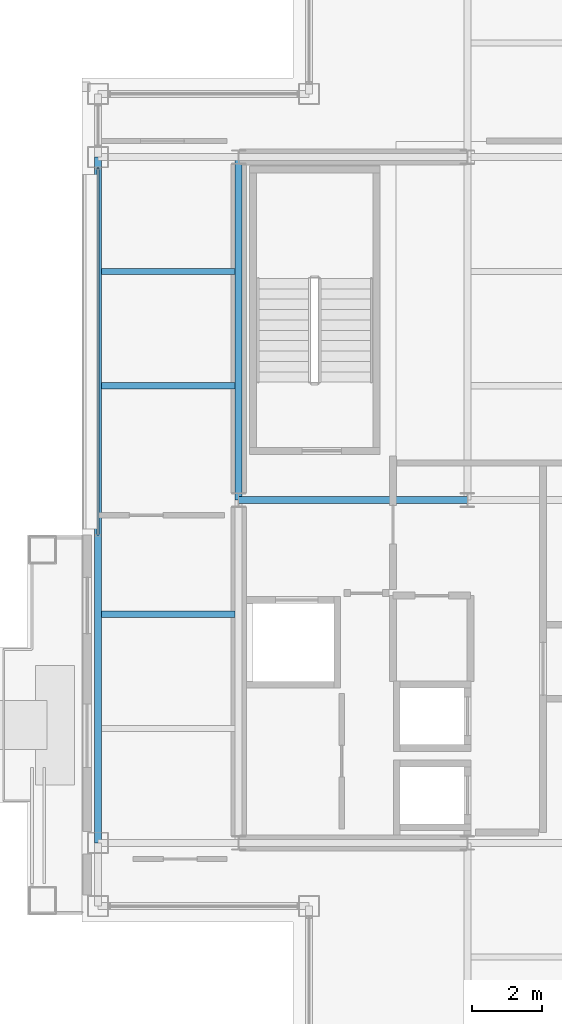
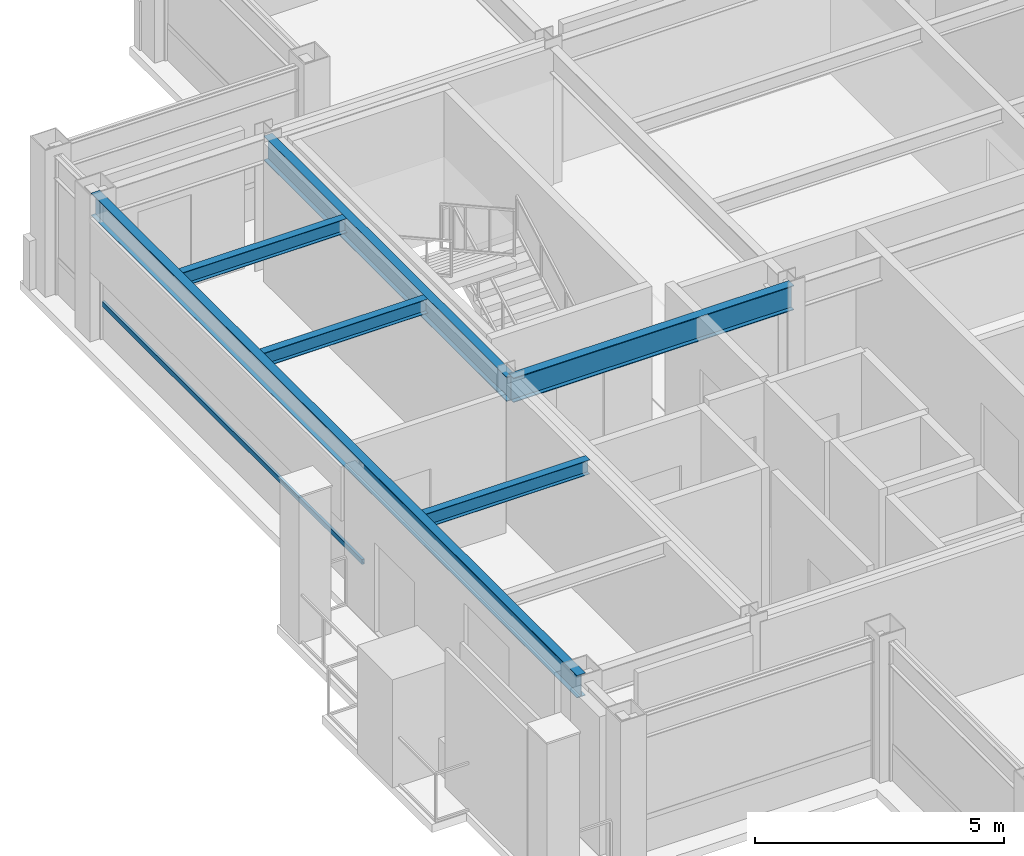
# One storey, part 10 of 27: 6 beams, 1 member, 1 element without a shape of its own.
"""IFC4 building model written with IfcOpenShell, lengths in metres."""

from ifc_helpers import new_model, si_unit, direction, frame, origin, origin_2d, place, context, subcontext, project, spatial, hollow_rectangle, i_section, extrude, material, layer, layer_set, material_profile, profile_set, type_object, element, aggregate, save


model = new_model("IFC4")

# Units and contexts
model_context = context("Model", 3, precision=1e-05, world=origin(), true_north=direction((0.0, 1.0)))
body_context = subcontext(model_context, "Body", "Model", "MODEL_VIEW")
ifc_project = project(units=[si_unit("LENGTHUNIT", "METRE"), si_unit("AREAUNIT", "SQUARE_METRE"), si_unit("VOLUMEUNIT", "CUBIC_METRE"), si_unit("PLANEANGLEUNIT", "RADIAN"), si_unit("MASSUNIT", "GRAM", prefix="KILO")], contexts=[model_context])

# Site, building, storey
site_placement = place(None, origin())
site = spatial("IfcSite", under=ifc_project, at=site_placement, CompositionType="ELEMENT")
building_placement = place(site_placement, origin())
building = spatial("IfcBuilding", under=site, at=building_placement, Name="Brelmoor Portico Tower", CompositionType="ELEMENT")
storey_placement = place(building_placement, frame((0.0, 0.0, 250.800048828125)))
storey = spatial("IfcBuildingStorey", under=building, at=storey_placement, Name="L66", CompositionType="ELEMENT", Elevation=250.800048828125)

# Beams
ifc_material_1 = material(Name="Steel Q355B", Category="steel")
ifc_material_profile_1 = material_profile(ifc_material_1, i_section(OverallWidth=0.175048828125, OverallDepth=0.35009765625, WebThickness=0.007080078125, FlangeThickness=0.010986328125, at=origin_2d()), Name="HN 350x175x7x11")
ifc_profile_set_1 = profile_set([ifc_material_profile_1], Name="Steel Q355B")
beam_type_1 = type_object("IfcBeamType", Name="BM-JS-350", PredefinedType="JOIST", material=ifc_profile_set_1)
for number, where, z_axis, x_axis, name in (
    (1, (-18.449951171875, -3.25, 3.224853515625), (1.0, 0.0, 0.0), (0.0, 1.0, 0.0), "L66 Secondary Wing Joist JS-W08"),
    (2, (-18.449951171875, 3.25, 3.224853515625), (1.0, 0.0, 0.0), (0.0, 1.0, 0.0), "L66 Secondary Wing Joist JS-W09"),
    (3, (-18.449951171875, 6.5, 3.224853515625), (1.0, 0.0, 0.0), (0.0, 1.0, 0.0), "L66 Secondary Wing Joist JS-W10"),
):
    element("IfcBeam", number, at=place(storey_placement, frame(where, z_axis=z_axis, x_axis=x_axis)), inside=storey, type_object=beam_type_1, Name=name, PredefinedType="JOIST", context=body_context, shape_type="SweptSolid", body=[
        extrude(i_section(OverallWidth=0.175048828125, OverallDepth=0.35009765625, WebThickness=0.007080078125, FlangeThickness=0.010986328125, at=origin_2d()), origin(), (0.0, 0.0, 1.0), 3.800048828125),
    ])
ifc_material_profile_2 = material_profile(ifc_material_1, i_section(OverallWidth=0.199951171875, OverallDepth=0.60009765625, WebThickness=0.010986328125, FlangeThickness=0.01708984375, at=origin_2d()), Name="HN 600x200x11x17")
ifc_profile_set_2 = profile_set([ifc_material_profile_2], Name="Steel Q355B")
beam_type_2 = type_object("IfcBeamType", Name="BM-PG-600", PredefinedType="BEAM", material=ifc_profile_set_2)
beam_1_placement = place(storey_placement, frame((-14.550048828125, 0.0, 3.099853515625), z_axis=(0.0, 1.0, 0.0), x_axis=(-1.0, 0.0, 0.0)))
element("IfcBeam", 4, at=beam_1_placement, inside=storey, type_object=beam_type_2, Name="L66 Primary Floor Girder PG-02", PredefinedType="BEAM", context=body_context, shape_type="SweptSolid", body=[
    extrude(i_section(OverallWidth=0.199951171875, OverallDepth=0.60009765625, WebThickness=0.010986328125, FlangeThickness=0.01708984375, at=origin_2d()), origin(), (0.0, 0.0, 1.0), 9.75),
])
beam_2_placement = place(storey_placement, frame((-14.550048828125, 0.0, 3.099853515625), z_axis=(1.0, 0.0, 0.0), x_axis=(0.0, 1.0, 0.0)))
element("IfcBeam", 5, at=beam_2_placement, inside=storey, type_object=beam_type_2, Name="L66 Primary Floor Girder PG-16", PredefinedType="BEAM", context=body_context, shape_type="SweptSolid", body=[
    extrude(i_section(OverallWidth=0.199951171875, OverallDepth=0.60009765625, WebThickness=0.010986328125, FlangeThickness=0.01708984375, at=origin_2d()), origin(), (0.0, 0.0, 1.0), 6.5),
])
ifc_material_profile_3 = material_profile(ifc_material_1, i_section(OverallWidth=0.199951171875, OverallDepth=0.550048828125, WebThickness=0.010009765625, FlangeThickness=0.01611328125, at=origin_2d()), Name="HN 550x200x10x16")
ifc_profile_set_3 = profile_set([ifc_material_profile_3], Name="Steel Q355B")
beam_type_3 = type_object("IfcBeamType", Name="BM-SP-550", PredefinedType="SPANDREL", material=ifc_profile_set_3)
beam_3_placement = place(storey_placement, frame((-18.550048828125, -9.75, 3.125), z_axis=(0.0, 1.0, 0.0), x_axis=(-1.0, 0.0, 0.0)))
element("IfcBeam", 6, at=beam_3_placement, inside=storey, type_object=beam_type_3, Name="L66 Perimeter Spandrel Beam SP-12", PredefinedType="SPANDREL", context=body_context, shape_type="SweptSolid", body=[
    extrude(i_section(OverallWidth=0.199951171875, OverallDepth=0.550048828125, WebThickness=0.010009765625, FlangeThickness=0.01611328125, at=origin_2d()), origin(), (0.0, 0.0, 1.0), 19.5),
])

# Curtain wall, member
ifc_material_2 = material(Name="Anodised Aluminium Alloy 6063-T6", Category="aluminium")
ifc_layer = layer(ifc_material_2, 0.179931640625)
ifc_layer_set = layer_set([ifc_layer], Name="Anodised Aluminium Alloy 6063-T6")
curtain_wall_type = type_object("IfcCurtainWallType", Name="CW-TOWER-Z4", PredefinedType="NOTDEFINED", material=ifc_layer_set)
curtain_wall_placement = place(storey_placement, origin())
curtain_wall = element("IfcCurtainWall", 7, at=curtain_wall_placement, inside=storey, type_object=curtain_wall_type, Name="L66 Curtain Wall CW-L66-3R-1", PredefinedType="NOTDEFINED")
ifc_material_profile_4 = material_profile(ifc_material_2, hollow_rectangle(XDim=0.06005859375, YDim=0.125, WallThickness=0.00341796875, at=origin_2d()), Name="ALU TRANSOM 60x125")
ifc_profile_set_4 = profile_set([ifc_material_profile_4], Name="Anodised Aluminium Alloy 6063-T6")
member_type = type_object("IfcMemberType", Name="MB-CW-TRAN-125", PredefinedType="USERDEFINED", material=ifc_profile_set_4)
member_placement = place(storey_placement, frame((-18.550048828125, -1.0, 0.849853515625), z_axis=(0.0, 1.0, 0.0), x_axis=(-1.0, 0.0, 0.0)))
member = element("IfcMember", 8, at=member_placement, type_object=member_type, Name="CW-L66-3R-1 Transom 1-00", ObjectType="TRANSOM", PredefinedType="USERDEFINED", context=body_context, shape_type="SweptSolid", body=[
    extrude(hollow_rectangle(XDim=0.06005859375, YDim=0.125, WallThickness=0.00341796875, at=origin_2d()), origin(), (0.0, 0.0, 1.0), 10.43994140625),
])
aggregate(curtain_wall, [member])

save(model, "model.ifc")
